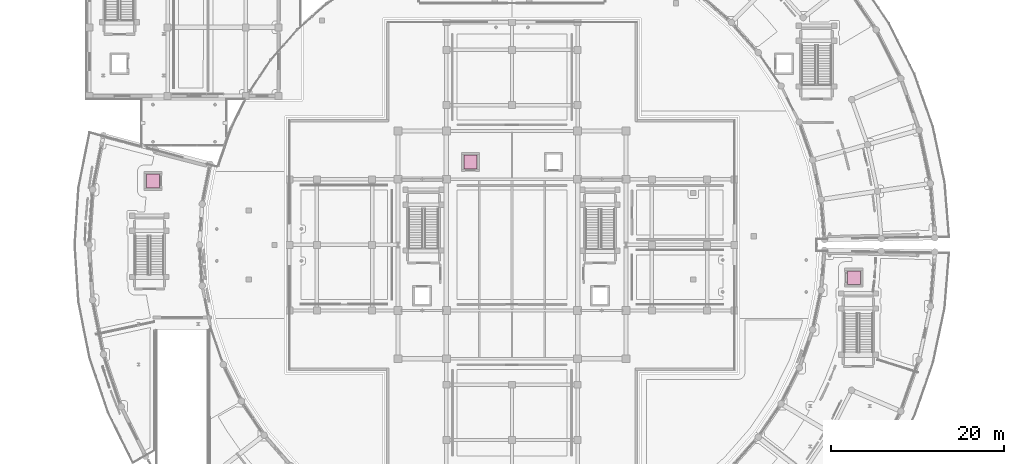
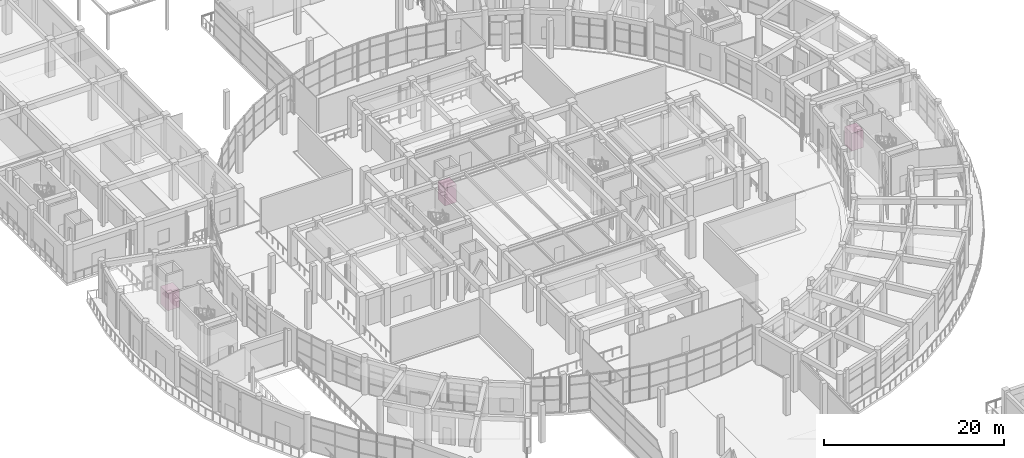
# One storey, part 99 of 99: 3 transport elements.
"""IFC4 building model written with IfcOpenShell, lengths in metres."""

from ifc_helpers import new_model, si_unit, direction, frame, origin, origin_2d, place, context, subcontext, project, spatial, rectangle, extrude, material, type_object, element, save


model = new_model("IFC4")

# Units and contexts
model_context = context("Model", 3, precision=1e-05, world=origin(), true_north=direction((0.0, 1.0)))
body_context = subcontext(model_context, "Body", "Model", "MODEL_VIEW")
ifc_project = project(units=[si_unit("LENGTHUNIT", "METRE"), si_unit("AREAUNIT", "SQUARE_METRE"), si_unit("VOLUMEUNIT", "CUBIC_METRE"), si_unit("PLANEANGLEUNIT", "RADIAN"), si_unit("MASSUNIT", "GRAM", prefix="KILO")], contexts=[model_context])

# Site, building, storey
site_placement = place(None, origin())
site = spatial("IfcSite", under=ifc_project, at=site_placement, CompositionType="ELEMENT")
building_placement = place(site_placement, origin())
building = spatial("IfcBuilding", under=site, at=building_placement, Name="Saryqyr Civic Hall", CompositionType="ELEMENT")
storey_placement = place(building_placement, origin())
storey = spatial("IfcBuildingStorey", under=building, at=storey_placement, Name="L00", CompositionType="ELEMENT", Elevation=0.0)

# Transport elements
ifc_material = material(Name="Brushed stainless steel", Category="steel")
transport_element_type = type_object("IfcTransportElementType", Name="INT-LFT-1000", PredefinedType="ELEVATOR", material=ifc_material)
for number, where, z_axis, x_axis, name in (
    (1, (52.199951171875, 93.60009765625, 0.0), (0.0, 0.0, 1.0), (1.0, 0.0, 0.0), "Chamber Passenger Lift LF-03"),
    (2, (15.39990234375, 91.39990234375, 0.0), (0.0, 0.0, 1.0), (1.0, 0.0, 0.0), "West Ring Administration Lift LF-06"),
    (3, (96.60009765625, 80.199951171875, 0.0), (0.0, 0.0, 1.0), (1.0, 0.0, 0.0), "East Ring Administration Lift LF-07"),
):
    element("IfcTransportElement", number, at=place(storey_placement, frame(where, z_axis=z_axis, x_axis=x_axis)), inside=storey, type_object=transport_element_type, Name=name, PredefinedType="ELEVATOR", context=body_context, shape_type="SweptSolid", body=[
        extrude(rectangle(XDim=1.5, YDim=1.60009765625, at=origin_2d()), origin(), (0.0, 0.0, 1.0), 2.39990234375),
    ])

save(model, "model.ifc")
